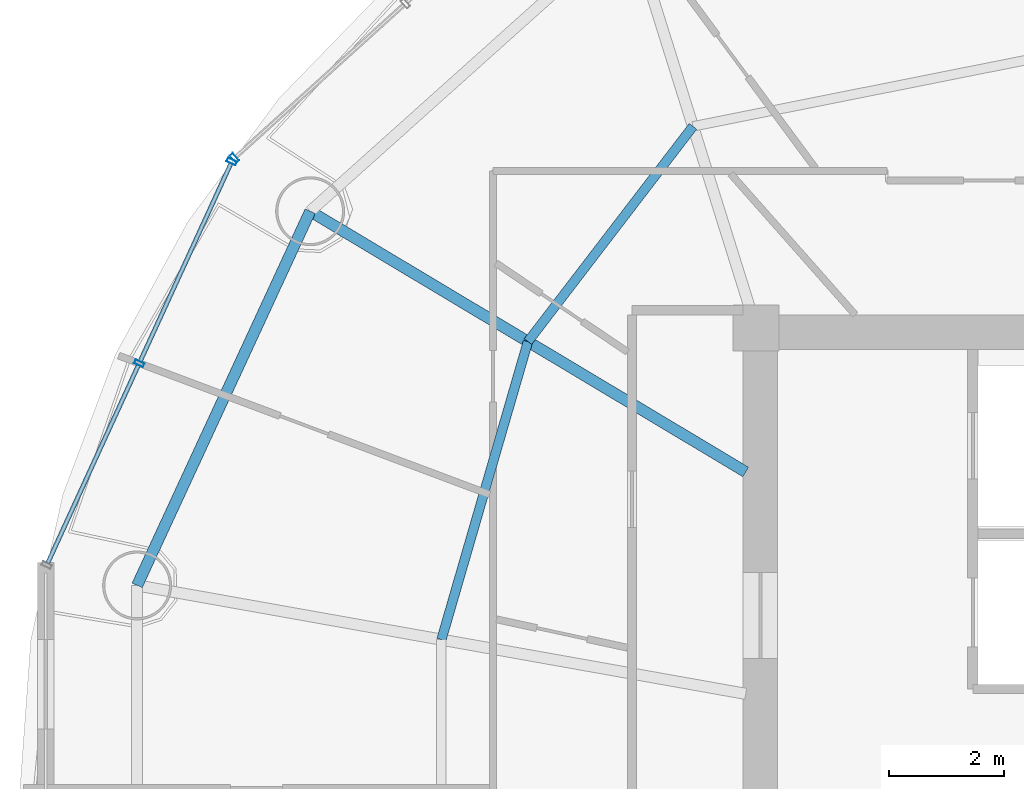
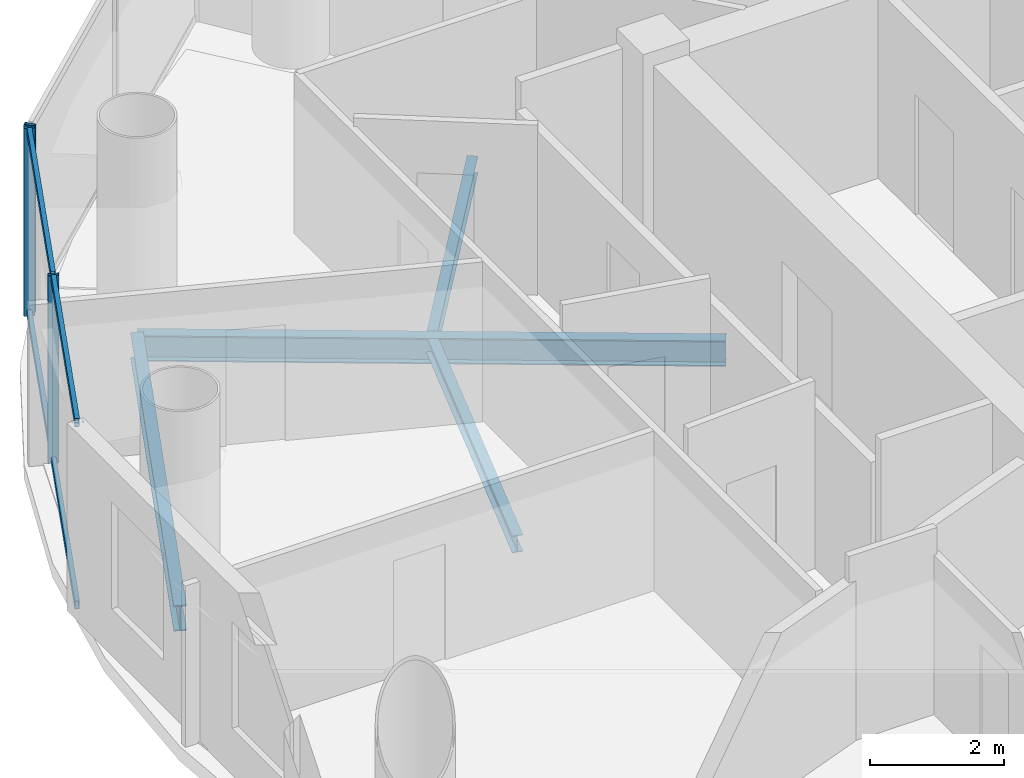
# One storey, part 8 of 26: 7 members, 4 beams, 2 elements without a shape of their own.
"""IFC4 building model written with IfcOpenShell, lengths in metres."""

from ifc_helpers import new_model, si_unit, direction, frame, origin, origin_2d, place, context, subcontext, project, spatial, hollow_rectangle, i_section, extrude, source, transform, mapped, material, material_profile, profile_set, type_object, element, aggregate, save


model = new_model("IFC4")

# Units and contexts
model_context = context("Model", 3, precision=1e-05, world=origin(), true_north=direction((-0.2419218956, 0.970295726276)))
body_context = subcontext(model_context, "Body", "Model", "MODEL_VIEW")
ifc_project = project(units=[si_unit("LENGTHUNIT", "METRE"), si_unit("AREAUNIT", "SQUARE_METRE"), si_unit("VOLUMEUNIT", "CUBIC_METRE"), si_unit("PLANEANGLEUNIT", "RADIAN"), si_unit("MASSUNIT", "GRAM", prefix="KILO")], contexts=[model_context])

# Site, building, storey
site_placement = place(None, origin())
site = spatial("IfcSite", under=ifc_project, at=site_placement, CompositionType="ELEMENT")
building_placement = place(site_placement, origin())
building = spatial("IfcBuilding", under=site, at=building_placement, Name="Cobrevalo Terracotta Tower", CompositionType="ELEMENT")
storey_placement = place(building_placement, frame((0.0, 0.0, 202.300048828125)))
storey = spatial("IfcBuildingStorey", under=building, at=storey_placement, Name="L53", CompositionType="ELEMENT", Elevation=202.300048828125)

# Beams
ifc_material_1 = material(Name="Steel S355", Category="steel")
ifc_material_profile_1 = material_profile(ifc_material_1, i_section(OverallWidth=0.194091796875, OverallDepth=0.468994140625, WebThickness=0.011474609375, FlangeThickness=0.0205078125, at=origin_2d()), Name="W 460x106")
ifc_profile_set_1 = profile_set([ifc_material_profile_1], Name="Steel S355")
beam_type_1 = type_object("IfcBeamType", Name="Structural Beam W 460x106 (Steel S355)", PredefinedType="BEAM", material=ifc_profile_set_1)
beam_1_placement = place(storey_placement, frame((21.245849609375, 36.828125, -0.49951171875), z_axis=(0.858046392192, -0.513572184651, 0.0), x_axis=(0.513572184651, 0.858046392192, 0.0)))
element("IfcBeam", 1, at=beam_1_placement, inside=storey, type_object=beam_type_1, Name="L53 radial floor girder 07", PredefinedType="BEAM", context=body_context, shape_type="SweptSolid", body=[
    extrude(i_section(OverallWidth=0.194091796875, OverallDepth=0.468994140625, WebThickness=0.011474609375, FlangeThickness=0.0205078125, at=origin_2d()), origin(), (0.0, 0.0, 1.0), 8.827392578125),
])
ifc_material_profile_2 = material_profile(ifc_material_1, i_section(OverallWidth=0.1650390625, OverallDepth=0.31005859375, WebThickness=0.005859375, FlangeThickness=0.009765625, at=origin_2d()), Name="W 310x38.7")
ifc_profile_set_2 = profile_set([ifc_material_profile_2], Name="Steel S355")
beam_type_2 = type_object("IfcBeamType", Name="Structural Joist W 310x38.7 (Steel S355)", PredefinedType="JOIST", material=ifc_profile_set_2)
beam_2_placement = place(storey_placement, frame((27.902587890625, 38.303955078125, -0.420166015625), z_axis=(-0.608464146296, -0.793581364872, 0.0), x_axis=(0.793581364872, -0.608464146296, 0.0)))
element("IfcBeam", 2, at=beam_2_placement, inside=storey, type_object=beam_type_2, Name="L53 circumferential secondary floor joist 06", PredefinedType="JOIST", context=body_context, shape_type="SweptSolid", body=[
    extrude(i_section(OverallWidth=0.1650390625, OverallDepth=0.31005859375, WebThickness=0.005859375, FlangeThickness=0.009765625, at=origin_2d()), origin(), (0.0, 0.0, 1.0), 4.716064453125),
])
beam_3_placement = place(storey_placement, frame((25.032958984375, 34.561279296875, -0.420166015625), z_axis=(-0.278769817131, -0.960357948401, 0.0), x_axis=(0.960357948401, -0.278769817131, 0.0)))
element("IfcBeam", 3, at=beam_3_placement, inside=storey, type_object=beam_type_2, Name="L53 circumferential secondary floor joist 07", PredefinedType="JOIST", context=body_context, shape_type="SweptSolid", body=[
    extrude(i_section(OverallWidth=0.1650390625, OverallDepth=0.31005859375, WebThickness=0.005859375, FlangeThickness=0.009765625, at=origin_2d()), origin(), (0.0, 0.0, 1.0), 5.396484375),
])
ifc_material_profile_3 = material_profile(ifc_material_1, i_section(OverallWidth=0.194091796875, OverallDepth=0.468994140625, WebThickness=0.011474609375, FlangeThickness=0.0205078125, at=origin_2d()), Name="W 460x106")
ifc_profile_set_3 = profile_set([ifc_material_profile_3], Name="Steel S355")
beam_type_3 = type_object("IfcBeamType", Name="Structural Spandrel W 460x106 (Steel S355)", PredefinedType="SPANDREL", material=ifc_profile_set_3)
beam_4_placement = place(storey_placement, frame((21.245849609375, 36.828125, -0.49951171875), z_axis=(-0.419705965131, -0.907660125176, 0.0), x_axis=(0.907660125176, -0.419705965131, 0.0)))
element("IfcBeam", 4, at=beam_4_placement, inside=storey, type_object=beam_type_3, Name="L53 perimeter ring spandrel 07", PredefinedType="SPANDREL", context=body_context, shape_type="SweptSolid", body=[
    extrude(i_section(OverallWidth=0.194091796875, OverallDepth=0.468994140625, WebThickness=0.011474609375, FlangeThickness=0.0205078125, at=origin_2d()), origin(), (0.0, 0.0, 1.0), 7.168701171875),
])

# Curtain wall, members
ifc_material_2 = material(Name="Anodized aluminium", Category="aluminium")
curtain_wall_type = type_object("IfcCurtainWallType", Name="Mid-tower high-wind unitised curtain wall CW-U2", PredefinedType="NOTDEFINED", material=ifc_material_2)
curtain_wall_1_placement = place(storey_placement, origin())
curtain_wall_1 = element("IfcCurtainWall", 5, at=curtain_wall_1_placement, inside=storey, type_object=curtain_wall_type, Name="L53 curtain wall CW-L53-S07", PredefinedType="NOTDEFINED")
ifc_material_profile_4 = material_profile(ifc_material_2, hollow_rectangle(XDim=0.074951171875, YDim=0.14990234375, WallThickness=0.00439453125, at=origin_2d()), Name="CWT 75x150")
ifc_profile_set_4 = profile_set([ifc_material_profile_4], Name="Anodized aluminium")
member_type_1 = type_object("IfcMemberType", Name="Tower unitised aluminium transom 75x150", PredefinedType="USERDEFINED", material=ifc_profile_set_4)
shared_shape_1 = source(origin(), body_context, "Body", "SweptSolid", [
    extrude(hollow_rectangle(XDim=0.074951171875, YDim=0.14990234375, WallThickness=0.00439453125, at=origin_2d()), origin(), (0.0, 0.0, 1.0), 3.780029296875),
])
member_1_placement = place(storey_placement, frame((19.865478515625, 37.6552734375, 0.050048828125), z_axis=(-0.416705859352, -0.909041377926, 0.0), x_axis=(0.909041377926, -0.416705859352, 0.0)))
member_1 = element("IfcMember", 6, at=member_1_placement, type_object=member_type_1, Name="CW-L53-S07 transom B01-T1", ObjectType="TRANSOM", PredefinedType="USERDEFINED", context=body_context, shape_type="MappedRepresentation", body=[
    mapped(shared_shape_1, transform((0.0, 0.0, 0.0), scale=1.0)),
])
member_2_placement = place(storey_placement, frame((19.865478515625, 37.6552734375, 3.385009765625), z_axis=(-0.416705859352, -0.909041377926, 0.0), x_axis=(0.909041377926, -0.416705859352, 0.0)))
member_2 = element("IfcMember", 7, at=member_2_placement, type_object=member_type_1, Name="CW-L53-S07 transom B01-T2", ObjectType="TRANSOM", PredefinedType="USERDEFINED", context=body_context, shape_type="MappedRepresentation", body=[
    mapped(shared_shape_1, transform((0.0, 0.0, 0.0), scale=1.0)),
])
member_3_placement = place(storey_placement, frame((18.2568359375, 34.146484375, 0.050048828125), z_axis=(-0.416705859352, -0.909041377926, 0.0), x_axis=(0.909041377926, -0.416705859352, 0.0)))
member_3 = element("IfcMember", 8, at=member_3_placement, type_object=member_type_1, Name="CW-L53-S07 transom B02-T1", ObjectType="TRANSOM", PredefinedType="USERDEFINED", context=body_context, shape_type="MappedRepresentation", body=[
    mapped(shared_shape_1, transform((0.0, 0.0, 0.0), scale=1.0)),
])
member_4_placement = place(storey_placement, frame((18.2568359375, 34.146484375, 3.385009765625), z_axis=(-0.416705859352, -0.909041377926, 0.0), x_axis=(0.909041377926, -0.416705859352, 0.0)))
member_4 = element("IfcMember", 9, at=member_4_placement, type_object=member_type_1, Name="CW-L53-S07 transom B02-T2", ObjectType="TRANSOM", PredefinedType="USERDEFINED", context=body_context, shape_type="MappedRepresentation", body=[
    mapped(shared_shape_1, transform((0.0, 0.0, 0.0), scale=1.0)),
])

# Curtain wall, member
curtain_wall_2_placement = place(storey_placement, origin())
curtain_wall_2 = element("IfcCurtainWall", 10, at=curtain_wall_2_placement, inside=storey, type_object=curtain_wall_type, Name="L53 curtain wall CW-L53-S06", PredefinedType="NOTDEFINED")
ifc_material_profile_5 = material_profile(ifc_material_2, hollow_rectangle(XDim=0.070068359375, YDim=0.169921875, WallThickness=0.00439453125, at=origin_2d()), Name="CWM 70x170")
ifc_profile_set_5 = profile_set([ifc_material_profile_5], Name="Anodized aluminium")
member_type_2 = type_object("IfcMemberType", Name="Upper tower unitised mullion 70x170", PredefinedType="MULLION", material=ifc_profile_set_5)
shared_shape_2 = source(origin(), body_context, "Body", "SweptSolid", [
    extrude(hollow_rectangle(XDim=0.070068359375, YDim=0.169921875, WallThickness=0.00439453125, at=origin_2d()), origin(), (0.0, 0.0, 1.0), 3.43505859375),
])
member_5_placement = place(storey_placement, frame((19.928466796875, 37.7548828125, 0.0), z_axis=(0.0, 0.0, 1.0), x_axis=(-0.741987542015, -0.670413668935, 0.0)))
member_5 = element("IfcMember", 11, at=member_5_placement, type_object=member_type_2, Name="CW-L53-S06 vertical mullion 03", PredefinedType="MULLION", context=body_context, shape_type="MappedRepresentation", body=[
    mapped(shared_shape_2, transform((0.0, 0.0, 0.0), scale=1.0)),
])
aggregate(curtain_wall_2, [member_5])

# Member
member_6_placement = place(storey_placement, frame((19.88232421875, 37.691650390625, 0.0), z_axis=(0.0, 0.0, 1.0), x_axis=(-0.41672507912, -0.909032567311, 0.0)))
member_6 = element("IfcMember", 12, at=member_6_placement, type_object=member_type_2, Name="CW-L53-S07 vertical mullion 01", PredefinedType="MULLION", context=body_context, shape_type="MappedRepresentation", body=[
    mapped(shared_shape_2, transform((0.0, 0.0, 0.0), scale=1.0)),
])

member_7_placement = place(storey_placement, frame((18.273681640625, 34.182861328125, 0.0), z_axis=(0.0, 0.0, 1.0), x_axis=(-0.41672507912, -0.909032567311, 0.0)))
member_7 = element("IfcMember", 13, at=member_7_placement, type_object=member_type_2, Name="CW-L53-S07 vertical mullion 02", PredefinedType="MULLION", context=body_context, shape_type="MappedRepresentation", body=[
    mapped(shared_shape_2, transform((0.0, 0.0, 0.0), scale=1.0)),
])

aggregate(curtain_wall_1, [member_6, member_7, member_1, member_2, member_3, member_4])

save(model, "model.ifc")
